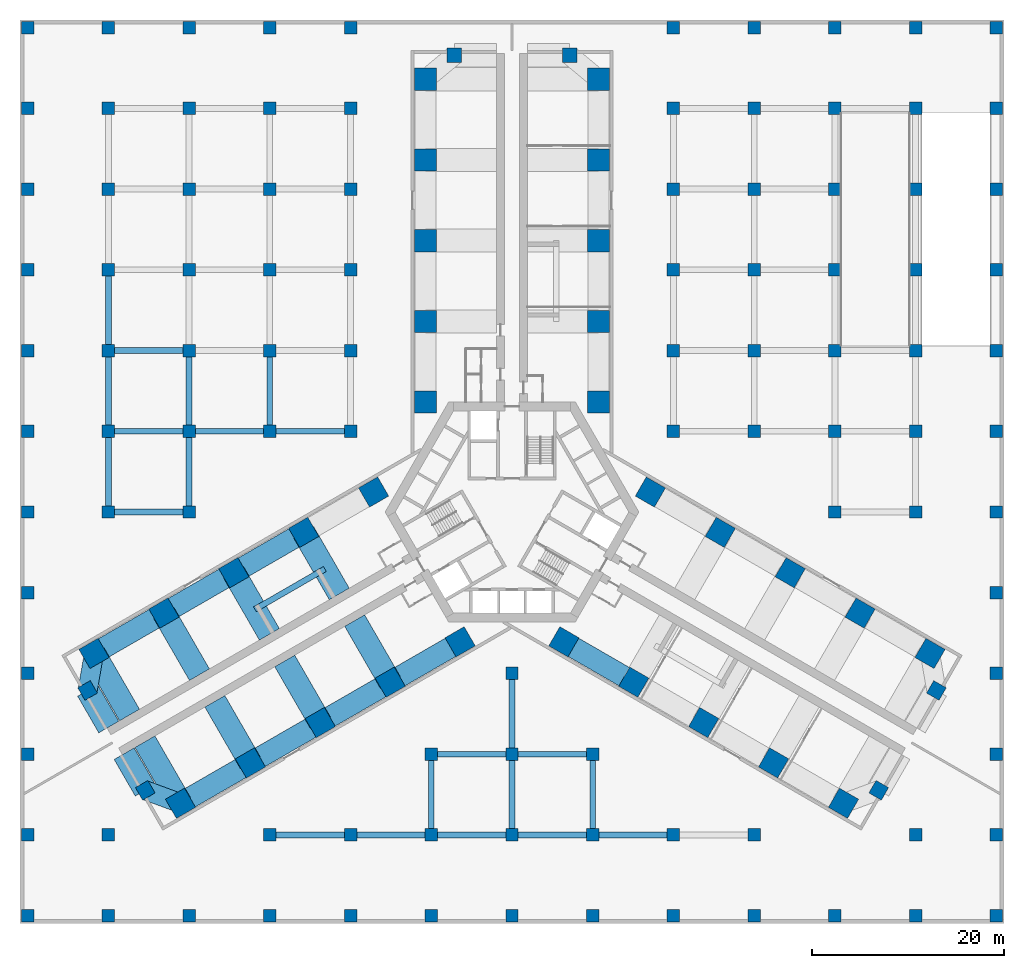
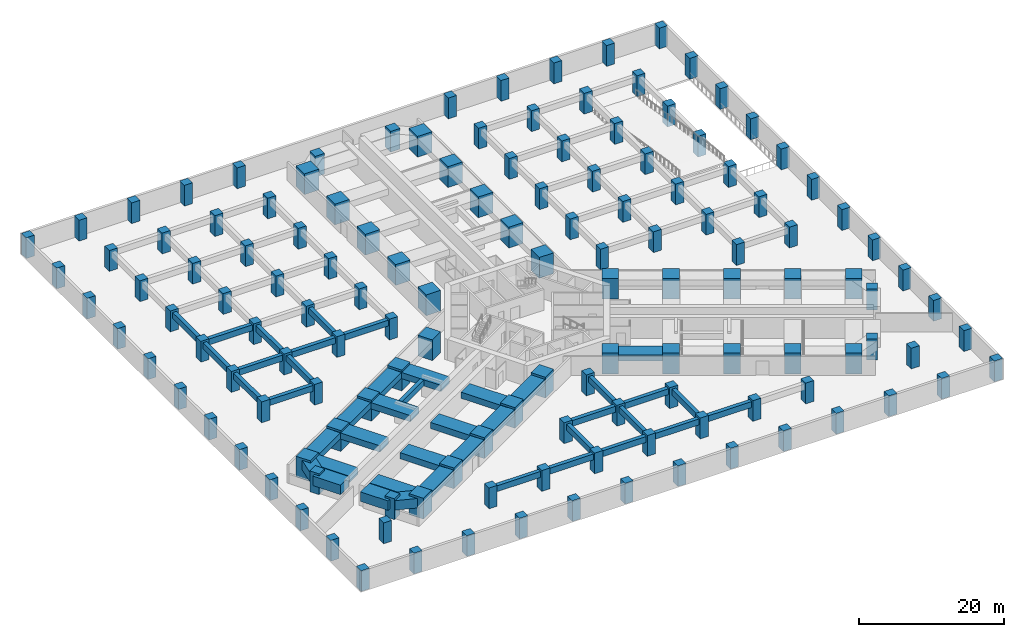
# One storey, part 1 of 10: 136 columns, 43 beams.
"""IFC4 building model written with IfcOpenShell, lengths in metres."""

from ifc_helpers import new_model, si_unit, direction, frame, origin, origin_2d, place, context, subcontext, project, spatial, rectangle, extrude, material, material_profile, profile_set, type_object, element, save


model = new_model("IFC4")

# Units and contexts
model_context = context("Model", 3, precision=1e-05, world=origin(), true_north=direction((0.0, 1.0)))
body_context = subcontext(model_context, "Body", "Model", "MODEL_VIEW")
ifc_project = project(units=[si_unit("LENGTHUNIT", "METRE"), si_unit("AREAUNIT", "SQUARE_METRE"), si_unit("VOLUMEUNIT", "CUBIC_METRE"), si_unit("PLANEANGLEUNIT", "RADIAN"), si_unit("MASSUNIT", "GRAM", prefix="KILO")], contexts=[model_context])

# Site, building, storey
site_placement = place(None, origin())
site = spatial("IfcSite", under=ifc_project, at=site_placement, CompositionType="ELEMENT")
building_placement = place(site_placement, origin())
building = spatial("IfcBuilding", under=site, at=building_placement, Name="Impinga Residences", CompositionType="ELEMENT")
storey_placement = place(building_placement, frame((0.0, 0.0, -3.5)))
storey = spatial("IfcBuildingStorey", under=building, at=storey_placement, Name="B1", CompositionType="ELEMENT", Elevation=-3.5)

# Columns
ifc_material_1 = material(Name="Concrete C70/85", Category="concrete")
ifc_material_profile_1 = material_profile(ifc_material_1, rectangle(XDim=2.300048828125, YDim=2.300048828125, at=origin_2d()), Name="RC 2300x2300")
ifc_profile_set_1 = profile_set([ifc_material_profile_1], Name="Concrete C70/85")
column_type_1 = type_object("IfcColumnType", Name="C1 2300x2300 column", PredefinedType="COLUMN", material=ifc_profile_set_1)
for number, where, z_axis, x_axis, name in (
    (1, (-9.0, 11.431640625, 0.0), (0.0, 0.0, 1.0), (1.0, 0.0, 0.0), "Column C1 N1/NA B1"),
    (2, (9.0, 11.431640625, 0.0), (0.0, 0.0, 1.0), (1.0, 0.0, 0.0), "Column C1 N1/NF B1"),
    (3, (-9.0, 19.83154296875, 0.0), (0.0, 0.0, 1.0), (1.0, 0.0, 0.0), "Column C1 N2/NA B1"),
    (4, (9.0, 19.83154296875, 0.0), (0.0, 0.0, 1.0), (1.0, 0.0, 0.0), "Column C1 N2/NF B1"),
    (5, (-9.0, 28.2314453125, 0.0), (0.0, 0.0, 1.0), (1.0, 0.0, 0.0), "Column C1 N3/NA B1"),
    (6, (9.0, 28.2314453125, 0.0), (0.0, 0.0, 1.0), (1.0, 0.0, 0.0), "Column C1 N3/NF B1"),
    (7, (-9.0, 36.631591796875, 0.0), (0.0, 0.0, 1.0), (1.0, 0.0, 0.0), "Column C1 N4/NA B1"),
    (8, (9.0, 36.631591796875, 0.0), (0.0, 0.0, 1.0), (1.0, 0.0, 0.0), "Column C1 N4/NF B1"),
    (9, (-9.0, 45.031494140625, 0.0), (0.0, 0.0, 1.0), (1.0, 0.0, 0.0), "Column C1 N5/NA B1"),
    (10, (9.0, 45.031494140625, 0.0), (0.0, 0.0, 1.0), (1.0, 0.0, 0.0), "Column C1 N5/NF B1"),
    (11, (-5.39990234375, -13.510009765625, 0.0), (0.0, 0.0, 1.0), (-0.5, 0.866025403784, 0.0), "Column C1 W1/WA B1"),
    (12, (-14.39990234375, 2.078369140625, 0.0), (0.0, 0.0, 1.0), (-0.5, 0.866025403784, 0.0), "Column C1 W1/WF B1"),
    (13, (-12.674560546875, -17.7099609375, 0.0), (0.0, 0.0, 1.0), (-0.5, 0.866025403784, 0.0), "Column C1 W2/WA B1"),
    (14, (-21.674560546875, -2.12158203125, 0.0), (0.0, 0.0, 1.0), (-0.5, 0.866025403784, 0.0), "Column C1 W2/WF B1"),
    (15, (-19.94921875, -21.909912109375, 0.0), (0.0, 0.0, 1.0), (-0.5, 0.866025403784, 0.0), "Column C1 W3/WA B1"),
    (16, (-28.94921875, -6.321533203125, 0.0), (0.0, 0.0, 1.0), (-0.5, 0.866025403784, 0.0), "Column C1 W3/WF B1"),
    (17, (-27.223876953125, -26.110107421875, 0.0), (0.0, 0.0, 1.0), (-0.5, 0.866025403784, 0.0), "Column C1 W4/WA B1"),
    (18, (-36.223876953125, -10.521484375, 0.0), (0.0, 0.0, 1.0), (-0.5, 0.866025403784, 0.0), "Column C1 W4/WF B1"),
    (19, (-34.49853515625, -30.31005859375, 0.0), (0.0, 0.0, 1.0), (-0.5, 0.866025403784, 0.0), "Column C1 W5/WA B1"),
    (20, (-43.49853515625, -14.721435546875, 0.0), (0.0, 0.0, 1.0), (-0.5, 0.866025403784, 0.0), "Column C1 W5/WF B1"),
    (21, (14.39990234375, 2.078369140625, 0.0), (0.0, 0.0, 1.0), (-0.5, -0.866025403784, 0.0), "Column C1 E1/EA B1"),
    (22, (5.39990234375, -13.510009765625, 0.0), (0.0, 0.0, 1.0), (-0.5, -0.866025403784, 0.0), "Column C1 E1/EF B1"),
    (23, (21.674560546875, -2.12158203125, 0.0), (0.0, 0.0, 1.0), (-0.5, -0.866025403784, 0.0), "Column C1 E2/EA B1"),
    (24, (12.674560546875, -17.7099609375, 0.0), (0.0, 0.0, 1.0), (-0.5, -0.866025403784, 0.0), "Column C1 E2/EF B1"),
    (25, (28.94921875, -6.321533203125, 0.0), (0.0, 0.0, 1.0), (-0.5, -0.866025403784, 0.0), "Column C1 E3/EA B1"),
    (26, (19.94921875, -21.909912109375, 0.0), (0.0, 0.0, 1.0), (-0.5, -0.866025403784, 0.0), "Column C1 E3/EF B1"),
    (27, (36.223876953125, -10.521484375, 0.0), (0.0, 0.0, 1.0), (-0.5, -0.866025403784, 0.0), "Column C1 E4/EA B1"),
    (28, (27.223876953125, -26.110107421875, 0.0), (0.0, 0.0, 1.0), (-0.5, -0.866025403784, 0.0), "Column C1 E4/EF B1"),
    (29, (43.49853515625, -14.721435546875, 0.0), (0.0, 0.0, 1.0), (-0.5, -0.866025403784, 0.0), "Column C1 E5/EA B1"),
    (30, (34.49853515625, -30.31005859375, 0.0), (0.0, 0.0, 1.0), (-0.5, -0.866025403784, 0.0), "Column C1 E5/EF B1"),
):
    element("IfcColumn", number, at=place(storey_placement, frame(where, z_axis=z_axis, x_axis=x_axis)), inside=storey, type_object=column_type_1, Name=name, PredefinedType="COLUMN", context=body_context, shape_type="SweptSolid", body=[
        extrude(rectangle(XDim=2.300048828125, YDim=2.300048828125, at=origin_2d()), origin(), (0.0, 0.0, 1.0), 3.5),
    ])
ifc_material_profile_2 = material_profile(ifc_material_1, rectangle(XDim=1.300048828125, YDim=1.300048828125, at=origin_2d()), Name="RC 1300x1300")
ifc_profile_set_2 = profile_set([ifc_material_profile_2], Name="Concrete C70/85")
column_type_2 = type_object("IfcColumnType", Name="PC1 1300x1300 column", PredefinedType="COLUMN", material=ifc_profile_set_2)
for number, where, z_axis, x_axis, name in (
    (31, (-50.39990234375, -42.0, 0.0), (0.0, 0.0, 1.0), (1.0, 0.0, 0.0), "Column PC1 1/A B1"),
    (32, (-50.39990234375, -33.60009765625, 0.0), (0.0, 0.0, 1.0), (1.0, 0.0, 0.0), "Column PC1 1/B B1"),
    (33, (-50.39990234375, -25.199951171875, 0.0), (0.0, 0.0, 1.0), (1.0, 0.0, 0.0), "Column PC1 1/C B1"),
    (34, (-50.39990234375, -16.800048828125, 0.0), (0.0, 0.0, 1.0), (1.0, 0.0, 0.0), "Column PC1 1/D B1"),
    (35, (-50.39990234375, -8.39990234375, 0.0), (0.0, 0.0, 1.0), (1.0, 0.0, 0.0), "Column PC1 1/E B1"),
    (36, (-50.39990234375, 0.0, 0.0), (0.0, 0.0, 1.0), (1.0, 0.0, 0.0), "Column PC1 1/F B1"),
    (37, (-50.39990234375, 8.39990234375, 0.0), (0.0, 0.0, 1.0), (1.0, 0.0, 0.0), "Column PC1 1/G B1"),
    (38, (-50.39990234375, 16.800048828125, 0.0), (0.0, 0.0, 1.0), (1.0, 0.0, 0.0), "Column PC1 1/H B1"),
    (39, (-50.39990234375, 25.199951171875, 0.0), (0.0, 0.0, 1.0), (1.0, 0.0, 0.0), "Column PC1 1/J B1"),
    (40, (-50.39990234375, 33.60009765625, 0.0), (0.0, 0.0, 1.0), (1.0, 0.0, 0.0), "Column PC1 1/K B1"),
    (41, (-50.39990234375, 42.0, 0.0), (0.0, 0.0, 1.0), (1.0, 0.0, 0.0), "Column PC1 1/L B1"),
    (42, (-50.39990234375, 50.39990234375, 0.0), (0.0, 0.0, 1.0), (1.0, 0.0, 0.0), "Column PC1 1/M B1"),
    (43, (-42.0, -42.0, 0.0), (0.0, 0.0, 1.0), (1.0, 0.0, 0.0), "Column PC1 2/A B1"),
    (44, (-42.0, -33.60009765625, 0.0), (0.0, 0.0, 1.0), (1.0, 0.0, 0.0), "Column PC1 2/B B1"),
    (45, (-42.0, 0.0, 0.0), (0.0, 0.0, 1.0), (1.0, 0.0, 0.0), "Column PC1 2/F B1"),
    (46, (-42.0, 8.39990234375, 0.0), (0.0, 0.0, 1.0), (1.0, 0.0, 0.0), "Column PC1 2/G B1"),
    (47, (-42.0, 16.800048828125, 0.0), (0.0, 0.0, 1.0), (1.0, 0.0, 0.0), "Column PC1 2/H B1"),
    (48, (-42.0, 25.199951171875, 0.0), (0.0, 0.0, 1.0), (1.0, 0.0, 0.0), "Column PC1 2/J B1"),
    (49, (-42.0, 33.60009765625, 0.0), (0.0, 0.0, 1.0), (1.0, 0.0, 0.0), "Column PC1 2/K B1"),
    (50, (-42.0, 42.0, 0.0), (0.0, 0.0, 1.0), (1.0, 0.0, 0.0), "Column PC1 2/L B1"),
    (51, (-42.0, 50.39990234375, 0.0), (0.0, 0.0, 1.0), (1.0, 0.0, 0.0), "Column PC1 2/M B1"),
    (52, (-33.60009765625, -42.0, 0.0), (0.0, 0.0, 1.0), (1.0, 0.0, 0.0), "Column PC1 3/A B1"),
    (53, (-33.60009765625, 0.0, 0.0), (0.0, 0.0, 1.0), (1.0, 0.0, 0.0), "Column PC1 3/F B1"),
    (54, (-33.60009765625, 8.39990234375, 0.0), (0.0, 0.0, 1.0), (1.0, 0.0, 0.0), "Column PC1 3/G B1"),
    (55, (-33.60009765625, 16.800048828125, 0.0), (0.0, 0.0, 1.0), (1.0, 0.0, 0.0), "Column PC1 3/H B1"),
    (56, (-33.60009765625, 25.199951171875, 0.0), (0.0, 0.0, 1.0), (1.0, 0.0, 0.0), "Column PC1 3/J B1"),
    (57, (-33.60009765625, 33.60009765625, 0.0), (0.0, 0.0, 1.0), (1.0, 0.0, 0.0), "Column PC1 3/K B1"),
    (58, (-33.60009765625, 42.0, 0.0), (0.0, 0.0, 1.0), (1.0, 0.0, 0.0), "Column PC1 3/L B1"),
    (59, (-33.60009765625, 50.39990234375, 0.0), (0.0, 0.0, 1.0), (1.0, 0.0, 0.0), "Column PC1 3/M B1"),
    (60, (-25.199951171875, -42.0, 0.0), (0.0, 0.0, 1.0), (1.0, 0.0, 0.0), "Column PC1 4/A B1"),
    (61, (-25.199951171875, -33.60009765625, 0.0), (0.0, 0.0, 1.0), (1.0, 0.0, 0.0), "Column PC1 4/B B1"),
    (62, (-25.199951171875, 8.39990234375, 0.0), (0.0, 0.0, 1.0), (1.0, 0.0, 0.0), "Column PC1 4/G B1"),
    (63, (-25.199951171875, 16.800048828125, 0.0), (0.0, 0.0, 1.0), (1.0, 0.0, 0.0), "Column PC1 4/H B1"),
    (64, (-25.199951171875, 25.199951171875, 0.0), (0.0, 0.0, 1.0), (1.0, 0.0, 0.0), "Column PC1 4/J B1"),
    (65, (-25.199951171875, 33.60009765625, 0.0), (0.0, 0.0, 1.0), (1.0, 0.0, 0.0), "Column PC1 4/K B1"),
    (66, (-25.199951171875, 42.0, 0.0), (0.0, 0.0, 1.0), (1.0, 0.0, 0.0), "Column PC1 4/L B1"),
    (67, (-25.199951171875, 50.39990234375, 0.0), (0.0, 0.0, 1.0), (1.0, 0.0, 0.0), "Column PC1 4/M B1"),
    (68, (-16.800048828125, -42.0, 0.0), (0.0, 0.0, 1.0), (1.0, 0.0, 0.0), "Column PC1 5/A B1"),
    (69, (-16.800048828125, -33.60009765625, 0.0), (0.0, 0.0, 1.0), (1.0, 0.0, 0.0), "Column PC1 5/B B1"),
    (70, (-16.800048828125, 8.39990234375, 0.0), (0.0, 0.0, 1.0), (1.0, 0.0, 0.0), "Column PC1 5/G B1"),
    (71, (-16.800048828125, 16.800048828125, 0.0), (0.0, 0.0, 1.0), (1.0, 0.0, 0.0), "Column PC1 5/H B1"),
    (72, (-16.800048828125, 25.199951171875, 0.0), (0.0, 0.0, 1.0), (1.0, 0.0, 0.0), "Column PC1 5/J B1"),
    (73, (-16.800048828125, 33.60009765625, 0.0), (0.0, 0.0, 1.0), (1.0, 0.0, 0.0), "Column PC1 5/K B1"),
    (74, (-16.800048828125, 42.0, 0.0), (0.0, 0.0, 1.0), (1.0, 0.0, 0.0), "Column PC1 5/L B1"),
    (75, (-16.800048828125, 50.39990234375, 0.0), (0.0, 0.0, 1.0), (1.0, 0.0, 0.0), "Column PC1 5/M B1"),
    (76, (-8.39990234375, -42.0, 0.0), (0.0, 0.0, 1.0), (1.0, 0.0, 0.0), "Column PC1 6/A B1"),
    (77, (-8.39990234375, -33.60009765625, 0.0), (0.0, 0.0, 1.0), (1.0, 0.0, 0.0), "Column PC1 6/B B1"),
    (78, (-8.39990234375, -25.199951171875, 0.0), (0.0, 0.0, 1.0), (1.0, 0.0, 0.0), "Column PC1 6/C B1"),
    (79, (0.0, -42.0, 0.0), (0.0, 0.0, 1.0), (1.0, 0.0, 0.0), "Column PC1 7/A B1"),
    (80, (0.0, -33.60009765625, 0.0), (0.0, 0.0, 1.0), (1.0, 0.0, 0.0), "Column PC1 7/B B1"),
    (81, (0.0, -25.199951171875, 0.0), (0.0, 0.0, 1.0), (1.0, 0.0, 0.0), "Column PC1 7/C B1"),
    (82, (0.0, -16.800048828125, 0.0), (0.0, 0.0, 1.0), (1.0, 0.0, 0.0), "Column PC1 7/D B1"),
    (83, (8.39990234375, -42.0, 0.0), (0.0, 0.0, 1.0), (1.0, 0.0, 0.0), "Column PC1 8/A B1"),
    (84, (8.39990234375, -33.60009765625, 0.0), (0.0, 0.0, 1.0), (1.0, 0.0, 0.0), "Column PC1 8/B B1"),
    (85, (8.39990234375, -25.199951171875, 0.0), (0.0, 0.0, 1.0), (1.0, 0.0, 0.0), "Column PC1 8/C B1"),
    (86, (16.800048828125, -42.0, 0.0), (0.0, 0.0, 1.0), (1.0, 0.0, 0.0), "Column PC1 9/A B1"),
    (87, (16.800048828125, -33.60009765625, 0.0), (0.0, 0.0, 1.0), (1.0, 0.0, 0.0), "Column PC1 9/B B1"),
    (88, (16.800048828125, 8.39990234375, 0.0), (0.0, 0.0, 1.0), (1.0, 0.0, 0.0), "Column PC1 9/G B1"),
    (89, (16.800048828125, 16.800048828125, 0.0), (0.0, 0.0, 1.0), (1.0, 0.0, 0.0), "Column PC1 9/H B1"),
    (90, (16.800048828125, 25.199951171875, 0.0), (0.0, 0.0, 1.0), (1.0, 0.0, 0.0), "Column PC1 9/J B1"),
    (91, (16.800048828125, 33.60009765625, 0.0), (0.0, 0.0, 1.0), (1.0, 0.0, 0.0), "Column PC1 9/K B1"),
    (92, (16.800048828125, 42.0, 0.0), (0.0, 0.0, 1.0), (1.0, 0.0, 0.0), "Column PC1 9/L B1"),
    (93, (16.800048828125, 50.39990234375, 0.0), (0.0, 0.0, 1.0), (1.0, 0.0, 0.0), "Column PC1 9/M B1"),
    (94, (25.199951171875, -42.0, 0.0), (0.0, 0.0, 1.0), (1.0, 0.0, 0.0), "Column PC1 10/A B1"),
    (95, (25.199951171875, -33.60009765625, 0.0), (0.0, 0.0, 1.0), (1.0, 0.0, 0.0), "Column PC1 10/B B1"),
    (96, (25.199951171875, 8.39990234375, 0.0), (0.0, 0.0, 1.0), (1.0, 0.0, 0.0), "Column PC1 10/G B1"),
    (97, (25.199951171875, 16.800048828125, 0.0), (0.0, 0.0, 1.0), (1.0, 0.0, 0.0), "Column PC1 10/H B1"),
    (98, (25.199951171875, 25.199951171875, 0.0), (0.0, 0.0, 1.0), (1.0, 0.0, 0.0), "Column PC1 10/J B1"),
    (99, (25.199951171875, 33.60009765625, 0.0), (0.0, 0.0, 1.0), (1.0, 0.0, 0.0), "Column PC1 10/K B1"),
    (100, (25.199951171875, 42.0, 0.0), (0.0, 0.0, 1.0), (1.0, 0.0, 0.0), "Column PC1 10/L B1"),
    (101, (25.199951171875, 50.39990234375, 0.0), (0.0, 0.0, 1.0), (1.0, 0.0, 0.0), "Column PC1 10/M B1"),
    (102, (33.60009765625, -42.0, 0.0), (0.0, 0.0, 1.0), (1.0, 0.0, 0.0), "Column PC1 11/A B1"),
    (103, (33.60009765625, 0.0, 0.0), (0.0, 0.0, 1.0), (1.0, 0.0, 0.0), "Column PC1 11/F B1"),
    (104, (33.60009765625, 8.39990234375, 0.0), (0.0, 0.0, 1.0), (1.0, 0.0, 0.0), "Column PC1 11/G B1"),
    (105, (33.60009765625, 16.800048828125, 0.0), (0.0, 0.0, 1.0), (1.0, 0.0, 0.0), "Column PC1 11/H B1"),
    (106, (33.60009765625, 25.199951171875, 0.0), (0.0, 0.0, 1.0), (1.0, 0.0, 0.0), "Column PC1 11/J B1"),
    (107, (33.60009765625, 33.60009765625, 0.0), (0.0, 0.0, 1.0), (1.0, 0.0, 0.0), "Column PC1 11/K B1"),
    (108, (33.60009765625, 42.0, 0.0), (0.0, 0.0, 1.0), (1.0, 0.0, 0.0), "Column PC1 11/L B1"),
    (109, (33.60009765625, 50.39990234375, 0.0), (0.0, 0.0, 1.0), (1.0, 0.0, 0.0), "Column PC1 11/M B1"),
    (110, (42.0, -42.0, 0.0), (0.0, 0.0, 1.0), (1.0, 0.0, 0.0), "Column PC1 12/A B1"),
    (111, (42.0, -33.60009765625, 0.0), (0.0, 0.0, 1.0), (1.0, 0.0, 0.0), "Column PC1 12/B B1"),
    (112, (42.0, 0.0, 0.0), (0.0, 0.0, 1.0), (1.0, 0.0, 0.0), "Column PC1 12/F B1"),
    (113, (42.0, 8.39990234375, 0.0), (0.0, 0.0, 1.0), (1.0, 0.0, 0.0), "Column PC1 12/G B1"),
    (114, (42.0, 16.800048828125, 0.0), (0.0, 0.0, 1.0), (1.0, 0.0, 0.0), "Column PC1 12/H B1"),
    (115, (42.0, 25.199951171875, 0.0), (0.0, 0.0, 1.0), (1.0, 0.0, 0.0), "Column PC1 12/J B1"),
    (116, (42.0, 33.60009765625, 0.0), (0.0, 0.0, 1.0), (1.0, 0.0, 0.0), "Column PC1 12/K B1"),
    (117, (42.0, 42.0, 0.0), (0.0, 0.0, 1.0), (1.0, 0.0, 0.0), "Column PC1 12/L B1"),
    (118, (42.0, 50.39990234375, 0.0), (0.0, 0.0, 1.0), (1.0, 0.0, 0.0), "Column PC1 12/M B1"),
    (119, (50.39990234375, -42.0, 0.0), (0.0, 0.0, 1.0), (1.0, 0.0, 0.0), "Column PC1 13/A B1"),
    (120, (50.39990234375, -33.60009765625, 0.0), (0.0, 0.0, 1.0), (1.0, 0.0, 0.0), "Column PC1 13/B B1"),
    (121, (50.39990234375, -25.199951171875, 0.0), (0.0, 0.0, 1.0), (1.0, 0.0, 0.0), "Column PC1 13/C B1"),
    (122, (50.39990234375, -16.800048828125, 0.0), (0.0, 0.0, 1.0), (1.0, 0.0, 0.0), "Column PC1 13/D B1"),
    (123, (50.39990234375, -8.39990234375, 0.0), (0.0, 0.0, 1.0), (1.0, 0.0, 0.0), "Column PC1 13/E B1"),
    (124, (50.39990234375, 0.0, 0.0), (0.0, 0.0, 1.0), (1.0, 0.0, 0.0), "Column PC1 13/F B1"),
    (125, (50.39990234375, 8.39990234375, 0.0), (0.0, 0.0, 1.0), (1.0, 0.0, 0.0), "Column PC1 13/G B1"),
    (126, (50.39990234375, 16.800048828125, 0.0), (0.0, 0.0, 1.0), (1.0, 0.0, 0.0), "Column PC1 13/H B1"),
    (127, (50.39990234375, 25.199951171875, 0.0), (0.0, 0.0, 1.0), (1.0, 0.0, 0.0), "Column PC1 13/J B1"),
    (128, (50.39990234375, 33.60009765625, 0.0), (0.0, 0.0, 1.0), (1.0, 0.0, 0.0), "Column PC1 13/K B1"),
    (129, (50.39990234375, 42.0, 0.0), (0.0, 0.0, 1.0), (1.0, 0.0, 0.0), "Column PC1 13/L B1"),
    (130, (50.39990234375, 50.39990234375, 0.0), (0.0, 0.0, 1.0), (1.0, 0.0, 0.0), "Column PC1 13/M B1"),
):
    element("IfcColumn", number, at=place(storey_placement, frame(where, z_axis=z_axis, x_axis=x_axis)), inside=storey, type_object=column_type_2, Name=name, PredefinedType="COLUMN", context=body_context, shape_type="SweptSolid", body=[
        extrude(rectangle(XDim=1.300048828125, YDim=1.300048828125, at=origin_2d()), origin(), (0.0, 0.0, 1.0), 3.5),
    ])
ifc_material_profile_3 = material_profile(ifc_material_1, rectangle(XDim=1.5, YDim=1.5, at=origin_2d()), Name="RC 1500x1500")
ifc_profile_set_3 = profile_set([ifc_material_profile_3], Name="Concrete C70/85")
column_type_3 = type_object("IfcColumnType", Name="PC7 1500x1500 column", PredefinedType="COLUMN", material=ifc_profile_set_3)
for number, where, z_axis, x_axis, name in (
    (131, (-6.0, 47.531494140625, 0.0), (0.0, 0.0, 1.0), (1.0, 0.0, 0.0), "Column PC7 NB/NX wing end prop B1"),
    (132, (6.0, 47.531494140625, 0.0), (0.0, 0.0, 1.0), (1.0, 0.0, 0.0), "Column PC7 NE/NX wing end prop B1"),
    (133, (-38.16357421875, -28.9619140625, 0.0), (0.0, 0.0, 1.0), (-0.5, 0.866025403784, 0.0), "Column PC7 WB/WX wing end prop B1"),
    (134, (-44.16357421875, -18.569580078125, 0.0), (0.0, 0.0, 1.0), (-0.5, 0.866025403784, 0.0), "Column PC7 WE/WX wing end prop B1"),
    (135, (44.16357421875, -18.569580078125, 0.0), (0.0, 0.0, 1.0), (-0.5, -0.866025403784, 0.0), "Column PC7 EB/EX wing end prop B1"),
    (136, (38.16357421875, -28.9619140625, 0.0), (0.0, 0.0, 1.0), (-0.5, -0.866025403784, 0.0), "Column PC7 EE/EX wing end prop B1"),
):
    element("IfcColumn", number, at=place(storey_placement, frame(where, z_axis=z_axis, x_axis=x_axis)), inside=storey, type_object=column_type_3, Name=name, PredefinedType="COLUMN", context=body_context, shape_type="SweptSolid", body=[
        extrude(rectangle(XDim=1.5, YDim=1.5, at=origin_2d()), origin(), (0.0, 0.0, 1.0), 3.5),
    ])

# Beams
ifc_material_2 = material(Name="Concrete C60/75", Category="concrete")
ifc_material_profile_4 = material_profile(ifc_material_2, rectangle(XDim=2.0, YDim=1.60009765625, at=origin_2d()), Name="RC 2000x1600")
ifc_profile_set_4 = profile_set([ifc_material_profile_4], Name="Concrete C60/75")
beam_type_1 = type_object("IfcBeamType", Name="CB2 2000x1600 wing end cantilever beam", PredefinedType="BEAM", material=ifc_profile_set_4)
beam_1_placement = place(storey_placement, frame((-34.49853515625, -30.31005859375, 2.35009765625), z_axis=(-0.938520178725, 0.345224382289, 0.0), x_axis=(-0.345224382289, -0.938520178725, 0.0)))
element("IfcBeam", 137, at=beam_1_placement, inside=storey, type_object=beam_type_1, Name="Beam CB2 WB W5-WX level L00", PredefinedType="BEAM", context=body_context, shape_type="SweptSolid", body=[
    extrude(rectangle(XDim=2.0, YDim=1.60009765625, at=origin_2d()), origin(), (0.0, 0.0, 1.0), 3.905029296875),
])
beam_2_placement = place(storey_placement, frame((-43.49853515625, -14.721435546875, 2.35009765625), z_axis=(-0.170296298948, -0.985392901621, 0.0), x_axis=(0.985392901621, -0.170296298948, 0.0)))
element("IfcBeam", 138, at=beam_2_placement, inside=storey, type_object=beam_type_1, Name="Beam CB2 WE W5-WX level L00", PredefinedType="BEAM", context=body_context, shape_type="SweptSolid", body=[
    extrude(rectangle(XDim=2.0, YDim=1.60009765625, at=origin_2d()), origin(), (0.0, 0.0, 1.0), 3.9052734375),
])
ifc_material_profile_5 = material_profile(ifc_material_2, rectangle(XDim=2.39990234375, YDim=1.050048828125, at=origin_2d()), Name="RC 2400x1050")
ifc_profile_set_5 = profile_set([ifc_material_profile_5], Name="Concrete C60/75")
beam_type_2 = type_object("IfcBeamType", Name="CG3 2400x1050 cross girder on a wing bay line under the ground floor", PredefinedType="BEAM", material=ifc_profile_set_5)
for number, where, z_axis, x_axis, name in (
    (139, (-16.37451171875, -11.301513671875, 2.625), (0.500003285667, -0.866023506795, 0.0), (0.866023506795, 0.500003285667, 0.0), "Beam CG3 W2 WC/WA level L00"),
    (140, (-23.649169921875, -15.50146484375, 2.625), (0.500003285667, -0.866023506795, 0.0), (0.866023506795, 0.500003285667, 0.0), "Beam CG3 W3 WC/WA level L00"),
):
    element("IfcBeam", number, at=place(storey_placement, frame(where, z_axis=z_axis, x_axis=x_axis)), inside=storey, type_object=beam_type_2, Name=name, PredefinedType="BEAM", context=body_context, shape_type="SweptSolid", body=[
        extrude(rectangle(XDim=2.39990234375, YDim=1.050048828125, at=origin_2d()), origin(), (0.0, 0.0, 1.0), 7.39990234375),
    ])
for number, where, z_axis, x_axis, name in (
    (141, (-30.923828125, -19.701416015625, 2.625), (0.499988999718, -0.866031754707, 0.0), (0.866031754707, 0.499988999718, 0.0), "Beam CG3 W4 WC/WA level L00"),
    (142, (-38.198486328125, -23.9013671875, 2.625), (0.499988999718, -0.866031754707, 0.0), (0.866031754707, 0.499988999718, 0.0), "Beam CG3 W5 WC/WA level L00"),
):
    element("IfcBeam", number, at=place(storey_placement, frame(where, z_axis=z_axis, x_axis=x_axis)), inside=storey, type_object=beam_type_2, Name=name, PredefinedType="BEAM", context=body_context, shape_type="SweptSolid", body=[
        extrude(rectangle(XDim=2.39990234375, YDim=1.050048828125, at=origin_2d()), origin(), (0.0, 0.0, 1.0), 7.400146484375),
    ])
beam_3_placement = place(storey_placement, frame((-17.974609375, -8.530029296875, 2.625), z_axis=(-0.500003285667, 0.866023506795, 0.0), x_axis=(-0.866023506795, -0.500003285667, 0.0)))
element("IfcBeam", 143, at=beam_3_placement, inside=storey, type_object=beam_type_2, Name="Beam CG3 W2 WC/WF level L00", PredefinedType="BEAM", context=body_context, shape_type="SweptSolid", body=[
    extrude(rectangle(XDim=2.39990234375, YDim=1.050048828125, at=origin_2d()), origin(), (0.0, 0.0, 1.0), 7.39990234375),
])
for number, where, z_axis, x_axis, name in (
    (144, (-25.249267578125, -12.730224609375, 2.625), (-0.499988999718, 0.866031754707, 0.0), (-0.866031754707, -0.499988999718, 0.0), "Beam CG3 W3 WC/WF level L00"),
    (145, (-32.52392578125, -16.93017578125, 2.625), (-0.499988999718, 0.866031754707, 0.0), (-0.866031754707, -0.499988999718, 0.0), "Beam CG3 W4 WC/WF level L00"),
    (146, (-39.79833984375, -21.130126953125, 2.625), (-0.500013743233, 0.86601746898, 0.0), (-0.86601746898, -0.500013743233, 0.0), "Beam CG3 W5 WC/WF level L00"),
):
    element("IfcBeam", number, at=place(storey_placement, frame(where, z_axis=z_axis, x_axis=x_axis)), inside=storey, type_object=beam_type_2, Name=name, PredefinedType="BEAM", context=body_context, shape_type="SweptSolid", body=[
        extrude(rectangle(XDim=2.39990234375, YDim=1.050048828125, at=origin_2d()), origin(), (0.0, 0.0, 1.0), 7.400146484375),
    ])
ifc_material_profile_6 = material_profile(ifc_material_2, rectangle(XDim=2.39990234375, YDim=1.60009765625, at=origin_2d()), Name="RC 2400x1600")
ifc_profile_set_6 = profile_set([ifc_material_profile_6], Name="Concrete C60/75")
beam_type_3 = type_object("IfcBeamType", Name="EB2 2400x1600 wing end beam", PredefinedType="BEAM", material=ifc_profile_set_6)
for number, where, z_axis, x_axis, name in (
    (147, (-38.16357421875, -28.9619140625, 2.35009765625), (-0.499988222896, 0.866032203192, 0.0), (-0.866032203192, -0.499988222896, 0.0), "Beam EB2 WX4 level L00"),
    (148, (-41.963623046875, -22.380126953125, 2.35009765625), (-0.499988222896, 0.866032203192, 0.0), (-0.866032203192, -0.499988222896, 0.0), "Beam EB2 WX4 level L00"),
):
    element("IfcBeam", number, at=place(storey_placement, frame(where, z_axis=z_axis, x_axis=x_axis)), inside=storey, type_object=beam_type_3, Name=name, PredefinedType="BEAM", context=body_context, shape_type="SweptSolid", body=[
        extrude(rectangle(XDim=2.39990234375, YDim=1.60009765625, at=origin_2d()), origin(), (0.0, 0.0, 1.0), 4.39990234375),
    ])
ifc_material_profile_7 = material_profile(ifc_material_2, rectangle(XDim=0.60009765625, YDim=1.0, at=origin_2d()), Name="RC 600x1000")
ifc_profile_set_7 = profile_set([ifc_material_profile_7], Name="Concrete C60/75")
beam_type_4 = type_object("IfcBeamType", Name="PB1 600x1000 basement and ground floor beam", PredefinedType="BEAM", material=ifc_profile_set_7)
beam_4_placement = place(storey_placement, frame((-25.199951171875, -33.60009765625, 2.64990234375), z_axis=(1.0, 0.0, 0.0), x_axis=(0.0, 1.0, 0.0)))
element("IfcBeam", 149, at=beam_4_placement, inside=storey, type_object=beam_type_4, Name="Beam PB1 B/4-5 level L00", PredefinedType="BEAM", context=body_context, shape_type="SweptSolid", body=[
    extrude(rectangle(XDim=0.60009765625, YDim=1.0, at=origin_2d()), origin(), (0.0, 0.0, 1.0), 8.39990234375),
])
beam_5_placement = place(storey_placement, frame((-16.800048828125, -33.60009765625, 2.64990234375), z_axis=(1.0, 0.0, 0.0), x_axis=(0.0, 1.0, 0.0)))
element("IfcBeam", 150, at=beam_5_placement, inside=storey, type_object=beam_type_4, Name="Beam PB1 B/5-6 level L00", PredefinedType="BEAM", context=body_context, shape_type="SweptSolid", body=[
    extrude(rectangle(XDim=0.60009765625, YDim=1.0, at=origin_2d()), origin(), (0.0, 0.0, 1.0), 8.400146484375),
])
for number, where, z_axis, x_axis, name in (
    (151, (-8.39990234375, -33.60009765625, 2.64990234375), (1.0, 0.0, 0.0), (0.0, 1.0, 0.0), "Beam PB1 B/6-7 level L00"),
    (152, (0.0, -33.60009765625, 2.64990234375), (1.0, 0.0, 0.0), (0.0, 1.0, 0.0), "Beam PB1 B/7-8 level L00"),
):
    element("IfcBeam", number, at=place(storey_placement, frame(where, z_axis=z_axis, x_axis=x_axis)), inside=storey, type_object=beam_type_4, Name=name, PredefinedType="BEAM", context=body_context, shape_type="SweptSolid", body=[
        extrude(rectangle(XDim=0.60009765625, YDim=1.0, at=origin_2d()), origin(), (0.0, 0.0, 1.0), 8.39990234375),
    ])
beam_6_placement = place(storey_placement, frame((8.39990234375, -33.60009765625, 2.64990234375), z_axis=(1.0, 0.0, 0.0), x_axis=(0.0, 1.0, 0.0)))
element("IfcBeam", 153, at=beam_6_placement, inside=storey, type_object=beam_type_4, Name="Beam PB1 B/8-9 level L00", PredefinedType="BEAM", context=body_context, shape_type="SweptSolid", body=[
    extrude(rectangle(XDim=0.60009765625, YDim=1.0, at=origin_2d()), origin(), (0.0, 0.0, 1.0), 8.400146484375),
])
for number, where, z_axis, x_axis, name in (
    (154, (-8.39990234375, -25.199951171875, 2.64990234375), (1.0, 0.0, 0.0), (0.0, 1.0, 0.0), "Beam PB1 C/6-7 level L00"),
    (155, (0.0, -25.199951171875, 2.64990234375), (1.0, 0.0, 0.0), (0.0, 1.0, 0.0), "Beam PB1 C/7-8 level L00"),
    (156, (-42.0, 0.0, 2.64990234375), (1.0, 0.0, 0.0), (0.0, 1.0, 0.0), "Beam PB1 F/2-3 level L00"),
    (157, (-42.0, 8.39990234375, 2.64990234375), (1.0, 0.0, 0.0), (0.0, 1.0, 0.0), "Beam PB1 G/2-3 level L00"),
):
    element("IfcBeam", number, at=place(storey_placement, frame(where, z_axis=z_axis, x_axis=x_axis)), inside=storey, type_object=beam_type_4, Name=name, PredefinedType="BEAM", context=body_context, shape_type="SweptSolid", body=[
        extrude(rectangle(XDim=0.60009765625, YDim=1.0, at=origin_2d()), origin(), (0.0, 0.0, 1.0), 8.39990234375),
    ])
beam_7_placement = place(storey_placement, frame((-33.60009765625, 8.39990234375, 2.64990234375), z_axis=(1.0, 0.0, 0.0), x_axis=(0.0, 1.0, 0.0)))
element("IfcBeam", 158, at=beam_7_placement, inside=storey, type_object=beam_type_4, Name="Beam PB1 G/3-4 level L00", PredefinedType="BEAM", context=body_context, shape_type="SweptSolid", body=[
    extrude(rectangle(XDim=0.60009765625, YDim=1.0, at=origin_2d()), origin(), (0.0, 0.0, 1.0), 8.400146484375),
])
for number, where, z_axis, x_axis, name in (
    (159, (-25.199951171875, 8.39990234375, 2.64990234375), (1.0, 0.0, 0.0), (0.0, 1.0, 0.0), "Beam PB1 G/4-5 level L00"),
    (160, (-42.0, 16.800048828125, 2.64990234375), (1.0, 0.0, 0.0), (0.0, 1.0, 0.0), "Beam PB1 H/2-3 level L00"),
    (161, (-42.0, 0.0, 2.64990234375), (0.0, 1.0, 0.0), (-1.0, 0.0, 0.0), "Beam PB1 2/F-G level L00"),
):
    element("IfcBeam", number, at=place(storey_placement, frame(where, z_axis=z_axis, x_axis=x_axis)), inside=storey, type_object=beam_type_4, Name=name, PredefinedType="BEAM", context=body_context, shape_type="SweptSolid", body=[
        extrude(rectangle(XDim=0.60009765625, YDim=1.0, at=origin_2d()), origin(), (0.0, 0.0, 1.0), 8.39990234375),
    ])
beam_8_placement = place(storey_placement, frame((-42.0, 8.39990234375, 2.64990234375), z_axis=(0.0, 1.0, 0.0), x_axis=(-1.0, 0.0, 0.0)))
element("IfcBeam", 162, at=beam_8_placement, inside=storey, type_object=beam_type_4, Name="Beam PB1 2/G-H level L00", PredefinedType="BEAM", context=body_context, shape_type="SweptSolid", body=[
    extrude(rectangle(XDim=0.60009765625, YDim=1.0, at=origin_2d()), origin(), (0.0, 0.0, 1.0), 8.400146484375),
])
for number, where, z_axis, x_axis, name in (
    (163, (-42.0, 16.800048828125, 2.64990234375), (0.0, 1.0, 0.0), (-1.0, 0.0, 0.0), "Beam PB1 2/H-J level L00"),
    (164, (-33.60009765625, 0.0, 2.64990234375), (0.0, 1.0, 0.0), (-1.0, 0.0, 0.0), "Beam PB1 3/F-G level L00"),
):
    element("IfcBeam", number, at=place(storey_placement, frame(where, z_axis=z_axis, x_axis=x_axis)), inside=storey, type_object=beam_type_4, Name=name, PredefinedType="BEAM", context=body_context, shape_type="SweptSolid", body=[
        extrude(rectangle(XDim=0.60009765625, YDim=1.0, at=origin_2d()), origin(), (0.0, 0.0, 1.0), 8.39990234375),
    ])
for number, where, z_axis, x_axis, name in (
    (165, (-33.60009765625, 8.39990234375, 2.64990234375), (0.0, 1.0, 0.0), (-1.0, 0.0, 0.0), "Beam PB1 3/G-H level L00"),
    (166, (-25.199951171875, 8.39990234375, 2.64990234375), (0.0, 1.0, 0.0), (-1.0, 0.0, 0.0), "Beam PB1 4/G-H level L00"),
    (167, (-8.39990234375, -33.60009765625, 2.64990234375), (0.0, 1.0, 0.0), (-1.0, 0.0, 0.0), "Beam PB1 6/B-C level L00"),
    (168, (0.0, -33.60009765625, 2.64990234375), (0.0, 1.0, 0.0), (-1.0, 0.0, 0.0), "Beam PB1 7/B-C level L00"),
):
    element("IfcBeam", number, at=place(storey_placement, frame(where, z_axis=z_axis, x_axis=x_axis)), inside=storey, type_object=beam_type_4, Name=name, PredefinedType="BEAM", context=body_context, shape_type="SweptSolid", body=[
        extrude(rectangle(XDim=0.60009765625, YDim=1.0, at=origin_2d()), origin(), (0.0, 0.0, 1.0), 8.400146484375),
    ])
beam_9_placement = place(storey_placement, frame((0.0, -25.199951171875, 2.64990234375), z_axis=(0.0, 1.0, 0.0), x_axis=(-1.0, 0.0, 0.0)))
element("IfcBeam", 169, at=beam_9_placement, inside=storey, type_object=beam_type_4, Name="Beam PB1 7/C-D level L00", PredefinedType="BEAM", context=body_context, shape_type="SweptSolid", body=[
    extrude(rectangle(XDim=0.60009765625, YDim=1.0, at=origin_2d()), origin(), (0.0, 0.0, 1.0), 8.39990234375),
])
beam_10_placement = place(storey_placement, frame((8.39990234375, -33.60009765625, 2.64990234375), z_axis=(0.0, 1.0, 0.0), x_axis=(-1.0, 0.0, 0.0)))
element("IfcBeam", 170, at=beam_10_placement, inside=storey, type_object=beam_type_4, Name="Beam PB1 8/B-C level L00", PredefinedType="BEAM", context=body_context, shape_type="SweptSolid", body=[
    extrude(rectangle(XDim=0.60009765625, YDim=1.0, at=origin_2d()), origin(), (0.0, 0.0, 1.0), 8.400146484375),
])
ifc_material_profile_8 = material_profile(ifc_material_2, rectangle(XDim=2.199951171875, YDim=1.0, at=origin_2d()), Name="RC 2200x1000")
ifc_profile_set_8 = profile_set([ifc_material_profile_8], Name="Concrete C60/75")
beam_type_5 = type_object("IfcBeamType", Name="PB3 2200x1000 podium band beam", PredefinedType="BEAM", material=ifc_profile_set_8)
for number, where, z_axis, x_axis, name in (
    (171, (-5.39990234375, -13.510009765625, 2.64990234375), (-0.86602925447, -0.499993330357, 0.0), (0.499993330357, -0.86602925447, 0.0), "Beam PB3 WA W1-W2 level L00"),
    (172, (-12.674560546875, -17.7099609375, 2.64990234375), (-0.86602925447, -0.499993330357, 0.0), (0.499993330357, -0.86602925447, 0.0), "Beam PB3 WA W2-W3 level L00"),
):
    element("IfcBeam", number, at=place(storey_placement, frame(where, z_axis=z_axis, x_axis=x_axis)), inside=storey, type_object=beam_type_5, Name=name, PredefinedType="BEAM", context=body_context, shape_type="SweptSolid", body=[
        extrude(rectangle(XDim=2.199951171875, YDim=1.0, at=origin_2d()), origin(), (0.0, 0.0, 1.0), 8.39990234375),
    ])
beam_11_placement = place(storey_placement, frame((-19.94921875, -21.909912109375, 2.64990234375), z_axis=(-0.866016669275, -0.500015128309, 0.0), x_axis=(0.500015128309, -0.866016669275, 0.0)))
element("IfcBeam", 173, at=beam_11_placement, inside=storey, type_object=beam_type_5, Name="Beam PB3 WA W3-W4 level L00", PredefinedType="BEAM", context=body_context, shape_type="SweptSolid", body=[
    extrude(rectangle(XDim=2.199951171875, YDim=1.0, at=origin_2d()), origin(), (0.0, 0.0, 1.0), 8.400146484375),
])
for number, where, z_axis, x_axis, name in (
    (174, (-27.223876953125, -26.110107421875, 2.64990234375), (-0.86602925447, -0.499993330357, 0.0), (0.499993330357, -0.86602925447, 0.0), "Beam PB3 WA W4-W5 level L00"),
    (175, (-21.674560546875, -2.12158203125, 2.64990234375), (-0.86602925447, -0.499993330357, 0.0), (0.499993330357, -0.86602925447, 0.0), "Beam PB3 WF W2-W3 level L00"),
    (176, (-28.94921875, -6.321533203125, 2.64990234375), (-0.86602925447, -0.499993330357, 0.0), (0.499993330357, -0.86602925447, 0.0), "Beam PB3 WF W3-W4 level L00"),
    (177, (-36.223876953125, -10.521484375, 2.64990234375), (-0.86602925447, -0.499993330357, 0.0), (0.499993330357, -0.86602925447, 0.0), "Beam PB3 WF W4-W5 level L00"),
    (178, (5.39990234375, -13.510009765625, 2.64990234375), (0.86602925447, -0.499993330357, 0.0), (0.499993330357, 0.86602925447, 0.0), "Beam PB3 EF E1-E2 level L00"),
):
    element("IfcBeam", number, at=place(storey_placement, frame(where, z_axis=z_axis, x_axis=x_axis)), inside=storey, type_object=beam_type_5, Name=name, PredefinedType="BEAM", context=body_context, shape_type="SweptSolid", body=[
        extrude(rectangle(XDim=2.199951171875, YDim=1.0, at=origin_2d()), origin(), (0.0, 0.0, 1.0), 8.39990234375),
    ])
ifc_material_profile_9 = material_profile(ifc_material_2, rectangle(XDim=0.60009765625, YDim=1.0, at=origin_2d()), Name="RC 600x1000")
ifc_profile_set_9 = profile_set([ifc_material_profile_9], Name="Concrete C60/75")
beam_type_6 = type_object("IfcBeamType", Name="SB2 600x1000 support beam under a stair enclosure or lift divider wall", PredefinedType="BEAM", material=ifc_profile_set_9)
beam_12_placement = place(storey_placement, frame((-19.474609375, -5.93212890625, 2.64990234375), z_axis=(-0.86602925447, -0.499993330357, 0.0), x_axis=(0.499993330357, -0.86602925447, 0.0)))
element("IfcBeam", 179, at=beam_12_placement, inside=storey, type_object=beam_type_6, Name="Beam SB2 W stair enclosure OUT level L00", PredefinedType="BEAM", context=body_context, shape_type="SweptSolid", body=[
    extrude(rectangle(XDim=0.60009765625, YDim=1.0, at=origin_2d()), origin(), (0.0, 0.0, 1.0), 8.39990234375),
])

save(model, "model.ifc")
